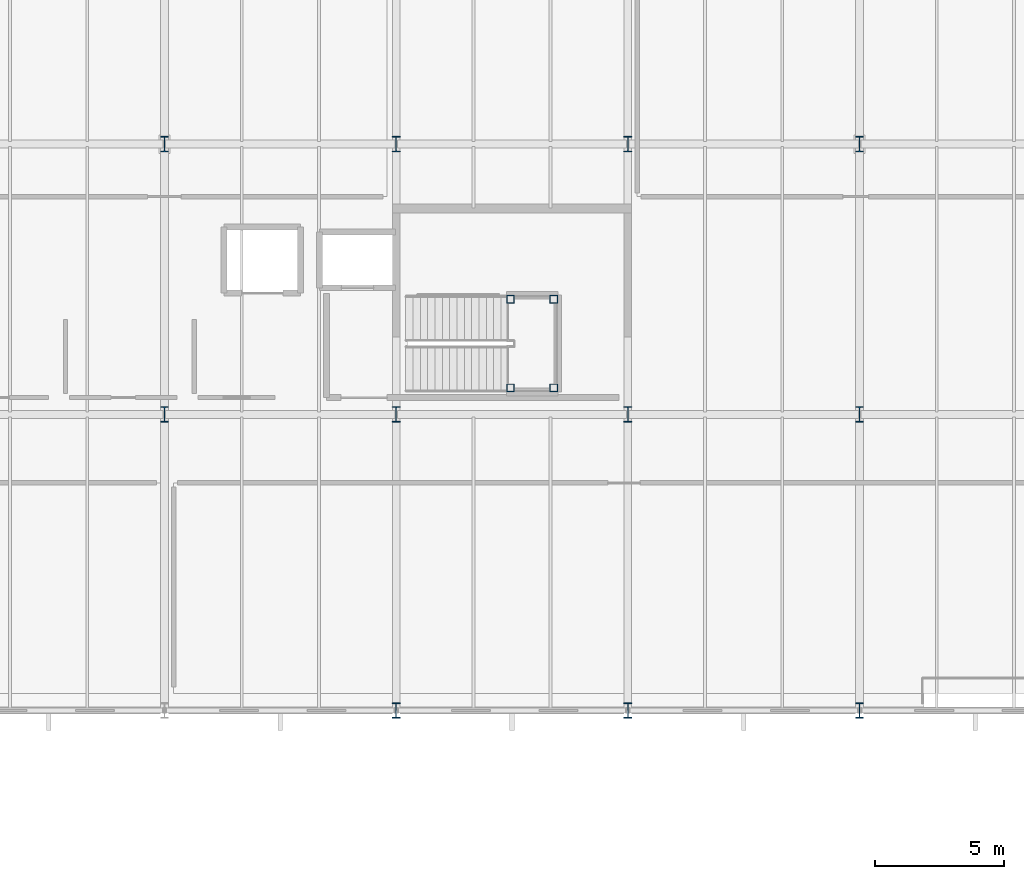
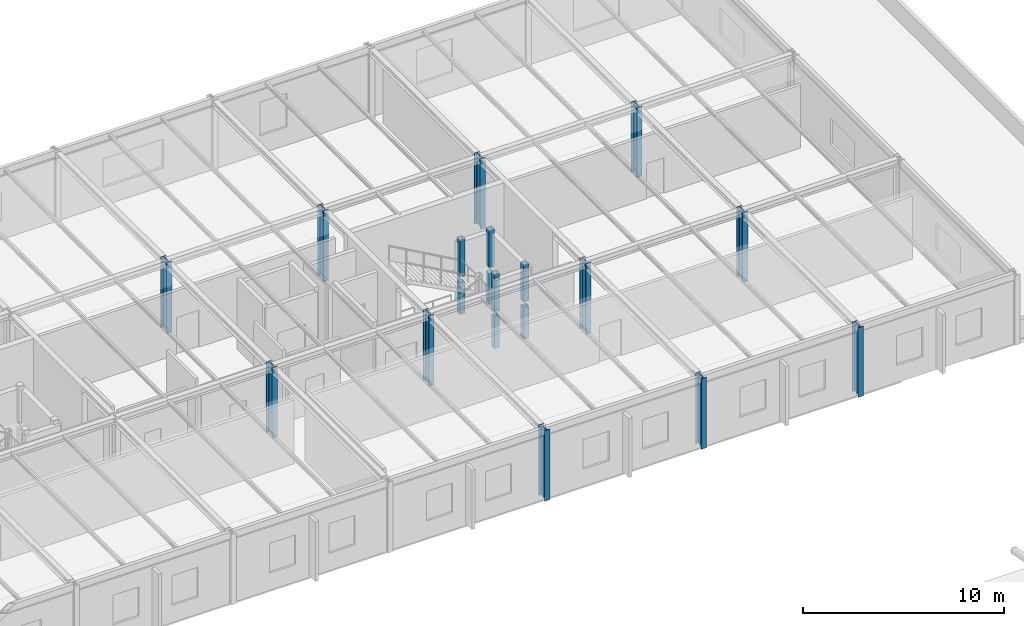
# One storey, part 4 of 105: 19 columns.
"""IFC4 building model written with IfcOpenShell, lengths in metres."""

from ifc_helpers import new_model, si_unit, direction, frame, origin, origin_2d, place, context, subcontext, project, spatial, hollow_rectangle, i_section, extrude, material, material_profile, profile_set, type_object, element, save


model = new_model("IFC4")

# Units and contexts
model_context = context("Model", 3, precision=1e-05, world=origin(), true_north=direction((0.0, 1.0)))
body_context = subcontext(model_context, "Body", "Model", "MODEL_VIEW")
ifc_project = project(units=[si_unit("LENGTHUNIT", "METRE"), si_unit("AREAUNIT", "SQUARE_METRE"), si_unit("VOLUMEUNIT", "CUBIC_METRE"), si_unit("PLANEANGLEUNIT", "RADIAN"), si_unit("MASSUNIT", "GRAM", prefix="KILO")], contexts=[model_context])

# Site, building, storey
site_placement = place(None, origin())
site = spatial("IfcSite", under=ifc_project, at=site_placement, CompositionType="ELEMENT")
building_placement = place(site_placement, origin())
building = spatial("IfcBuilding", under=site, at=building_placement, Name="Marlcrest Central Station", CompositionType="ELEMENT")
storey_placement = place(building_placement, frame((0.0, 0.0, 15.0)))
storey = spatial("IfcBuildingStorey", under=building, at=storey_placement, Name="L03", CompositionType="ELEMENT", Elevation=15.0)

# Columns
ifc_material = material(Name="Steel S355", Category="steel")
ifc_material_profile_1 = material_profile(ifc_material, i_section(OverallWidth=0.300048828125, OverallDepth=0.60009765625, WebThickness=0.015380859375, FlangeThickness=0.030029296875, FilletRadius=0.027099609375, at=origin_2d()), Name="HEB 600")
ifc_profile_set_1 = profile_set([ifc_material_profile_1], Name="Steel S355")
column_type_1 = type_object("IfcColumnType", Name="SC-05", PredefinedType="COLUMN", material=ifc_profile_set_1)
for number, where, z_axis, x_axis, name in (
    (1, (36.0, 110.5, 0.0), (0.0, 0.0, 1.0), (1.0, 0.0, 0.0), "col-SC-05-L03-0174"),
    (2, (36.0, 121.0, 0.0), (0.0, 0.0, 1.0), (1.0, 0.0, 0.0), "col-SC-05-L03-0175"),
    (3, (45.0, 99.0, 0.0), (0.0, 0.0, 1.0), (1.0, 0.0, 0.0), "col-SC-05-L03-0177"),
    (4, (45.0, 110.5, 0.0), (0.0, 0.0, 1.0), (1.0, 0.0, 0.0), "col-SC-05-L03-0178"),
    (5, (45.0, 121.0, 0.0), (0.0, 0.0, 1.0), (1.0, 0.0, 0.0), "col-SC-05-L03-0179"),
    (6, (54.0, 99.0, 0.0), (0.0, 0.0, 1.0), (1.0, 0.0, 0.0), "col-SC-05-L03-0181"),
    (7, (54.0, 110.5, 0.0), (0.0, 0.0, 1.0), (1.0, 0.0, 0.0), "col-SC-05-L03-0182"),
    (8, (54.0, 121.0, 0.0), (0.0, 0.0, 1.0), (1.0, 0.0, 0.0), "col-SC-05-L03-0183"),
):
    element("IfcColumn", number, at=place(storey_placement, frame(where, z_axis=z_axis, x_axis=x_axis)), inside=storey, type_object=column_type_1, Name=name, PredefinedType="COLUMN", context=body_context, shape_type="SweptSolid", body=[
        extrude(i_section(OverallWidth=0.300048828125, OverallDepth=0.60009765625, WebThickness=0.015380859375, FlangeThickness=0.030029296875, FilletRadius=0.027099609375, at=origin_2d()), origin(), (0.0, 0.0, 1.0), 4.284912109375),
    ])
for number, where, z_axis, x_axis, name in (
    (9, (63.0, 99.0, 0.0), (0.0, 0.0, 1.0), (1.0, 0.0, 0.0), "col-SC-05-L03-0185"),
    (10, (63.0, 110.5, 0.0), (0.0, 0.0, 1.0), (1.0, 0.0, 0.0), "col-SC-05-L03-0186"),
    (11, (63.0, 121.0, 0.0), (0.0, 0.0, 1.0), (1.0, 0.0, 0.0), "col-SC-05-L03-0187"),
):
    element("IfcColumn", number, at=place(storey_placement, frame(where, z_axis=z_axis, x_axis=x_axis)), inside=storey, type_object=column_type_1, Name=name, PredefinedType="COLUMN", context=body_context, shape_type="SweptSolid", body=[
        extrude(i_section(OverallWidth=0.300048828125, OverallDepth=0.60009765625, WebThickness=0.015380859375, FlangeThickness=0.030029296875, FilletRadius=0.027099609375, at=origin_2d()), origin(), (0.0, 0.0, 1.0), 4.235107421875),
    ])
ifc_material_profile_2 = material_profile(ifc_material, hollow_rectangle(XDim=0.300048828125, YDim=0.300048828125, WallThickness=0.01611328125, at=origin_2d()), Name="SHS 300x300x16")
ifc_profile_set_2 = profile_set([ifc_material_profile_2], Name="Steel S355")
column_type_2 = type_object("IfcColumnType", Name="SC-19", PredefinedType="COLUMN", material=ifc_profile_set_2)
column_1_placement = place(storey_placement, frame((49.43994140625, 111.530029296875, 0.0), z_axis=(0.0, 0.0, 1.0), x_axis=(1.0, 0.0, 0.0)))
element("IfcColumn", 12, at=column_1_placement, inside=storey, type_object=column_type_2, Name="htcol-lo-0051-0", PredefinedType="COLUMN", context=body_context, shape_type="SweptSolid", body=[
    extrude(hollow_rectangle(XDim=0.300048828125, YDim=0.300048828125, WallThickness=0.01611328125, at=origin_2d()), origin(), (0.0, 0.0, 1.0), 1.929931640625),
])
column_2_placement = place(storey_placement, frame((49.43994140625, 111.530029296875, 2.25), z_axis=(0.0, 0.0, 1.0), x_axis=(1.0, 0.0, 0.0)))
element("IfcColumn", 13, at=column_2_placement, inside=storey, type_object=column_type_2, Name="htcol-hi-0051-0", PredefinedType="COLUMN", context=body_context, shape_type="SweptSolid", body=[
    extrude(hollow_rectangle(XDim=0.300048828125, YDim=0.300048828125, WallThickness=0.01611328125, at=origin_2d()), origin(), (0.0, 0.0, 1.0), 2.25),
])
column_3_placement = place(storey_placement, frame((51.1201171875, 111.530029296875, 0.0), z_axis=(0.0, 0.0, 1.0), x_axis=(1.0, 0.0, 0.0)))
element("IfcColumn", 14, at=column_3_placement, inside=storey, type_object=column_type_2, Name="htcol-lo-0051-1", PredefinedType="COLUMN", context=body_context, shape_type="SweptSolid", body=[
    extrude(hollow_rectangle(XDim=0.300048828125, YDim=0.300048828125, WallThickness=0.01611328125, at=origin_2d()), origin(), (0.0, 0.0, 1.0), 1.929931640625),
])
column_4_placement = place(storey_placement, frame((51.1201171875, 111.530029296875, 2.25), z_axis=(0.0, 0.0, 1.0), x_axis=(1.0, 0.0, 0.0)))
element("IfcColumn", 15, at=column_4_placement, inside=storey, type_object=column_type_2, Name="htcol-hi-0051-1", PredefinedType="COLUMN", context=body_context, shape_type="SweptSolid", body=[
    extrude(hollow_rectangle(XDim=0.300048828125, YDim=0.300048828125, WallThickness=0.01611328125, at=origin_2d()), origin(), (0.0, 0.0, 1.0), 2.25),
])
column_5_placement = place(storey_placement, frame((51.1201171875, 114.969970703125, 0.0), z_axis=(0.0, 0.0, 1.0), x_axis=(1.0, 0.0, 0.0)))
element("IfcColumn", 16, at=column_5_placement, inside=storey, type_object=column_type_2, Name="htcol-lo-0051-2", PredefinedType="COLUMN", context=body_context, shape_type="SweptSolid", body=[
    extrude(hollow_rectangle(XDim=0.300048828125, YDim=0.300048828125, WallThickness=0.01611328125, at=origin_2d()), origin(), (0.0, 0.0, 1.0), 1.929931640625),
])
column_6_placement = place(storey_placement, frame((51.1201171875, 114.969970703125, 2.25), z_axis=(0.0, 0.0, 1.0), x_axis=(1.0, 0.0, 0.0)))
element("IfcColumn", 17, at=column_6_placement, inside=storey, type_object=column_type_2, Name="htcol-hi-0051-2", PredefinedType="COLUMN", context=body_context, shape_type="SweptSolid", body=[
    extrude(hollow_rectangle(XDim=0.300048828125, YDim=0.300048828125, WallThickness=0.01611328125, at=origin_2d()), origin(), (0.0, 0.0, 1.0), 2.25),
])
column_7_placement = place(storey_placement, frame((49.43994140625, 114.969970703125, 0.0), z_axis=(0.0, 0.0, 1.0), x_axis=(1.0, 0.0, 0.0)))
element("IfcColumn", 18, at=column_7_placement, inside=storey, type_object=column_type_2, Name="htcol-lo-0051-3", PredefinedType="COLUMN", context=body_context, shape_type="SweptSolid", body=[
    extrude(hollow_rectangle(XDim=0.300048828125, YDim=0.300048828125, WallThickness=0.01611328125, at=origin_2d()), origin(), (0.0, 0.0, 1.0), 1.929931640625),
])
column_8_placement = place(storey_placement, frame((49.43994140625, 114.969970703125, 2.25), z_axis=(0.0, 0.0, 1.0), x_axis=(1.0, 0.0, 0.0)))
element("IfcColumn", 19, at=column_8_placement, inside=storey, type_object=column_type_2, Name="htcol-hi-0051-3", PredefinedType="COLUMN", context=body_context, shape_type="SweptSolid", body=[
    extrude(hollow_rectangle(XDim=0.300048828125, YDim=0.300048828125, WallThickness=0.01611328125, at=origin_2d()), origin(), (0.0, 0.0, 1.0), 2.25),
])

save(model, "model.ifc")
